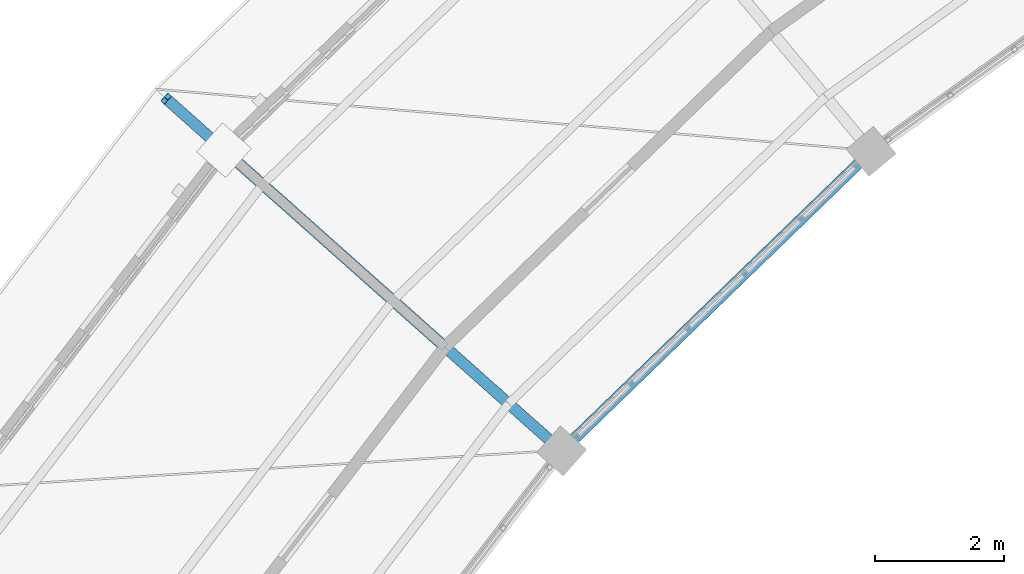
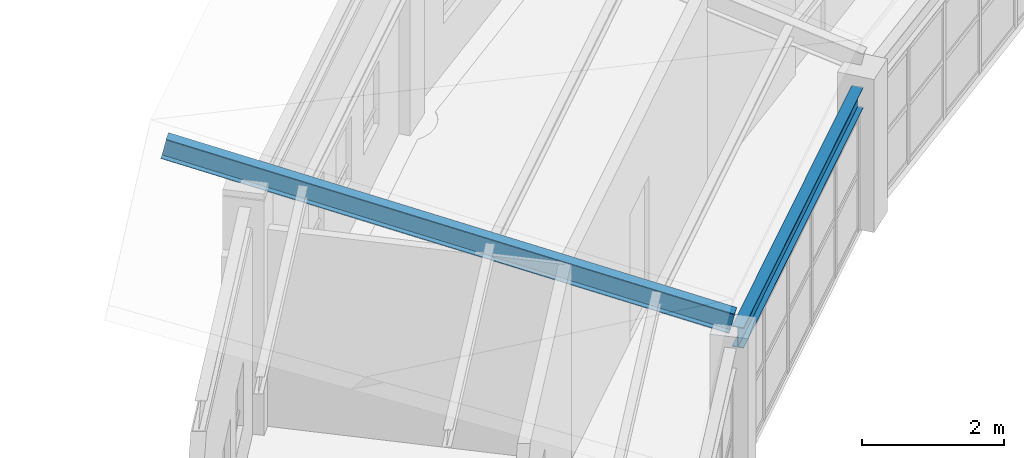
# One storey, part 71 of 149: 1 beam, 1 member.
"""IFC4 building model written with IfcOpenShell, lengths in metres."""

from ifc_helpers import new_model, si_unit, direction, frame, origin, origin_2d, place, context, subcontext, project, spatial, i_section, extrude, material, material_profile, profile_set, type_object, element, save


model = new_model("IFC4")

# Units and contexts
model_context = context("Model", 3, precision=1e-05, world=origin(), true_north=direction((0.0, 1.0)))
body_context = subcontext(model_context, "Body", "Model", "MODEL_VIEW")
ifc_project = project(units=[si_unit("LENGTHUNIT", "METRE"), si_unit("AREAUNIT", "SQUARE_METRE"), si_unit("VOLUMEUNIT", "CUBIC_METRE"), si_unit("PLANEANGLEUNIT", "RADIAN"), si_unit("MASSUNIT", "GRAM", prefix="KILO")], contexts=[model_context])

# Site, building, storey
site_placement = place(None, origin())
site = spatial("IfcSite", under=ifc_project, at=site_placement, CompositionType="ELEMENT")
building_placement = place(site_placement, origin())
building = spatial("IfcBuilding", under=site, at=building_placement, Name="Celadon Cloister-Ring School", CompositionType="ELEMENT")
storey_placement = place(building_placement, frame((0.0, 0.0, 12.5)))
storey = spatial("IfcBuildingStorey", under=building, at=storey_placement, Name="L03", CompositionType="ELEMENT", Elevation=12.5)

# Beam
ifc_material_1 = material(Name="Structural steel S355JR", Category="steel")
ifc_material_profile_1 = material_profile(ifc_material_1, i_section(OverallWidth=0.1708984375, OverallDepth=0.35498046875, WebThickness=0.007080078125, FlangeThickness=0.01171875, at=origin_2d()), Name="W360X51")
ifc_profile_set_1 = profile_set([ifc_material_profile_1], Name="Structural steel S355JR")
beam_type = type_object("IfcBeamType", Name="GT-08", PredefinedType="USERDEFINED", material=ifc_profile_set_1)
beam_placement = place(storey_placement, frame((58.0048828125, 93.39111328125, 2.27197265625), z_axis=(-0.718437447035, -0.695591571756, 0.0), x_axis=(0.695591571756, -0.718437447035, 0.0)))
element("IfcBeam", 1, at=beam_placement, inside=storey, type_object=beam_type, Name="Beam 0527", ObjectType="GIRDER", PredefinedType="USERDEFINED", context=body_context, shape_type="SweptSolid", body=[
    extrude(i_section(OverallWidth=0.1708984375, OverallDepth=0.35498046875, WebThickness=0.007080078125, FlangeThickness=0.01171875, at=origin_2d()), origin(), (0.0, 0.0, 1.0), 6.166015625),
])

# Member
ifc_material_2 = material(Name="Structural steel S355JR", Category="steel")
ifc_material_profile_2 = material_profile(ifc_material_2, i_section(OverallWidth=0.1708984375, OverallDepth=0.35498046875, WebThickness=0.007080078125, FlangeThickness=0.01171875, at=origin_2d()), Name="W360X51")
ifc_profile_set_2 = profile_set([ifc_material_profile_2], Name="Structural steel S355JR")
member_type = type_object("IfcMemberType", Name="MR-05", PredefinedType="RAFTER", material=ifc_profile_set_2)
member_placement = place(storey_placement, frame((53.39501953125, 88.927978515625, 2.72607421875), z_axis=(-0.728370256702, 0.64869205608, 0.220624988456), x_axis=(-0.665080497039, -0.746771673578, 0.0)))
element("IfcMember", 2, at=member_placement, inside=storey, type_object=member_type, Name="Structural Member 0006", PredefinedType="RAFTER", context=body_context, shape_type="SweptSolid", body=[
    extrude(i_section(OverallWidth=0.1708984375, OverallDepth=0.35498046875, WebThickness=0.007080078125, FlangeThickness=0.01171875, at=origin_2d()), origin(), (0.0, 0.0, 1.0), 8.407958984375),
])

save(model, "model.ifc")
